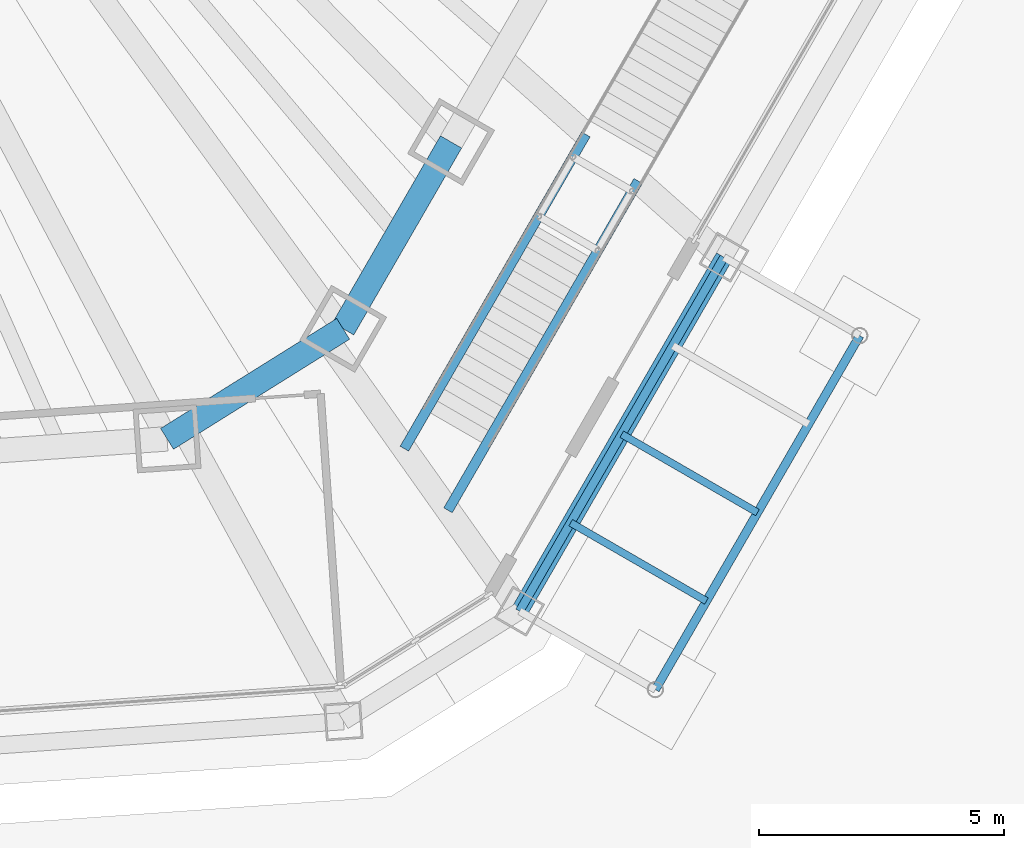
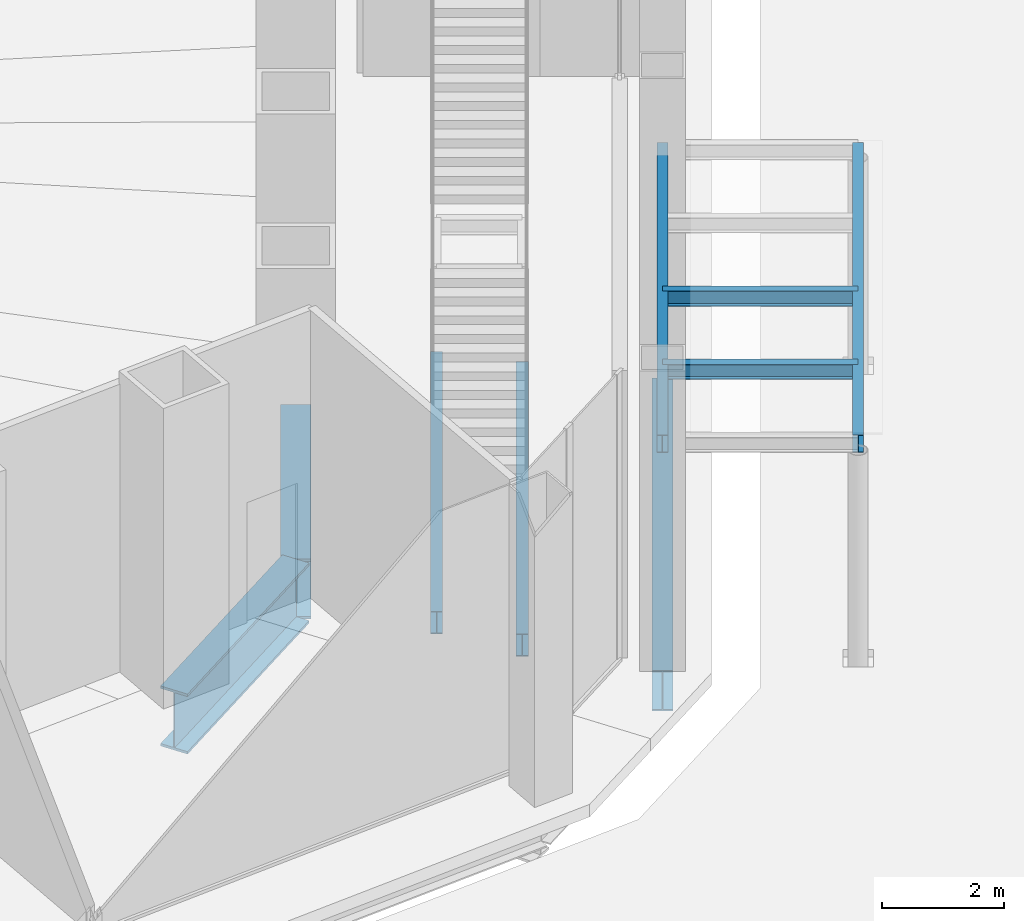
# One storey, part 14 of 45: 9 beams.
"""IFC4 building model written with IfcOpenShell, lengths in metres."""

from ifc_helpers import new_model, si_unit, direction, frame, origin, origin_2d, place, context, subcontext, project, spatial, i_section, extrude, material, material_profile, profile_set, type_object, element, save


model = new_model("IFC4")

# Units and contexts
model_context = context("Model", 3, precision=1e-05, world=origin(), true_north=direction((0.0, 1.0)))
body_context = subcontext(model_context, "Body", "Model", "MODEL_VIEW")
ifc_project = project(units=[si_unit("LENGTHUNIT", "METRE"), si_unit("AREAUNIT", "SQUARE_METRE"), si_unit("VOLUMEUNIT", "CUBIC_METRE"), si_unit("PLANEANGLEUNIT", "RADIAN"), si_unit("MASSUNIT", "GRAM", prefix="KILO")], contexts=[model_context])

# Site, building, storey
site_placement = place(None, origin())
site = spatial("IfcSite", under=ifc_project, at=site_placement, CompositionType="ELEMENT")
building_placement = place(site_placement, origin())
building = spatial("IfcBuilding", under=site, at=building_placement, Name="Qingtian Harvest Tower", CompositionType="ELEMENT")
storey_placement = place(building_placement, origin())
storey = spatial("IfcBuildingStorey", under=building, at=storey_placement, Name="L00", CompositionType="ELEMENT", Elevation=0.0)

# Beams
ifc_material_1 = material(Name="Steel SN490B", Category="steel")
ifc_material_profile_1 = material_profile(ifc_material_1, i_section(OverallWidth=0.14990234375, OverallDepth=0.300048828125, WebThickness=0.006591796875, FlangeThickness=0.009033203125, at=origin_2d()), Name="H300x150x6.5x9")
ifc_profile_set_1 = profile_set([ifc_material_profile_1], Name="Steel SN490B")
beam_type_1 = type_object("IfcBeamType", Name="Canopy beam CB1 H300x150x6.5x9", PredefinedType="BEAM", material=ifc_profile_set_1)
for number, where, z_axis, x_axis, name in (
    (1, (23.091064453125, -26.005126953125, 4.31005859375), (0.866042017984, -0.499971222258, 0.0), (0.499971222258, 0.866042017984, 0.0), "Canopy rafter CB1 CN3 3.2"),
    (2, (22.04833984375, -27.81103515625, 4.31005859375), (0.866008981251, -0.500028443584, 0.0), (0.500028443584, 0.866008981251, 0.0), "Canopy rafter CB1 CN3 3.3"),
):
    element("IfcBeam", number, at=place(storey_placement, frame(where, z_axis=z_axis, x_axis=x_axis)), inside=storey, type_object=beam_type_1, Name=name, PredefinedType="BEAM", context=body_context, shape_type="SweptSolid", body=[
        extrude(i_section(OverallWidth=0.14990234375, OverallDepth=0.300048828125, WebThickness=0.006591796875, FlangeThickness=0.009033203125, at=origin_2d()), origin(), (0.0, 0.0, 1.0), 3.199951171875),
    ])
ifc_material_2 = material(Name="Steel SN490B", Category="steel")
ifc_material_profile_2 = material_profile(ifc_material_2, i_section(OverallWidth=0.175048828125, OverallDepth=0.35009765625, WebThickness=0.007080078125, FlangeThickness=0.010986328125, at=origin_2d()), Name="H350x175x7x11")
ifc_profile_set_2 = profile_set([ifc_material_profile_2], Name="Steel SN490B")
beam_type_2 = type_object("IfcBeamType", Name="Canopy edge beam CB2 H350x175x7x11", PredefinedType="BEAM", material=ifc_profile_set_2)
beam_1_placement = place(storey_placement, frame((25.176513671875, -22.39306640625, 4.284912109375), z_axis=(-0.500004511595, -0.866022798998, 0.0), x_axis=(0.866022798998, -0.500004511595, 0.0)))
element("IfcBeam", 3, at=beam_1_placement, inside=storey, type_object=beam_type_2, Name="Canopy back beam CB1 CN3 3", PredefinedType="BEAM", context=body_context, shape_type="SweptSolid", body=[
    extrude(i_section(OverallWidth=0.175048828125, OverallDepth=0.35009765625, WebThickness=0.007080078125, FlangeThickness=0.010986328125, at=origin_2d()), origin(), (0.0, 0.0, 1.0), 8.341796875),
])
beam_2_placement = place(storey_placement, frame((27.94775390625, -23.992919921875, 4.284912109375), z_axis=(-0.499991838624, -0.866030115706, 0.0), x_axis=(0.866030115706, -0.499991838624, 0.0)))
element("IfcBeam", 4, at=beam_2_placement, inside=storey, type_object=beam_type_2, Name="Canopy front beam CB1 CN3 3", PredefinedType="BEAM", context=body_context, shape_type="SweptSolid", body=[
    extrude(i_section(OverallWidth=0.175048828125, OverallDepth=0.35009765625, WebThickness=0.007080078125, FlangeThickness=0.010986328125, at=origin_2d()), origin(), (0.0, 0.0, 1.0), 8.342041015625),
])
ifc_material_3 = material(Name="Steel SN490B", Category="steel")
ifc_material_profile_3 = material_profile(ifc_material_3, i_section(OverallWidth=0.35009765625, OverallDepth=0.800048828125, WebThickness=0.01611328125, FlangeThickness=0.028076171875, at=origin_2d()), Name="H800x350x16x28")
ifc_profile_set_3 = profile_set([ifc_material_profile_3], Name="Steel SN490B")
beam_type_3 = type_object("IfcBeamType", Name="Podium beam PB1 H800x350x16x28", PredefinedType="BEAM", material=ifc_profile_set_3)
beam_3_placement = place(storey_placement, frame((25.176513671875, -22.39306640625, -0.64990234375), z_axis=(-0.500004511595, -0.866022798998, 0.0), x_axis=(0.866022798998, -0.500004511595, 0.0)))
element("IfcBeam", 5, at=beam_3_placement, inside=storey, type_object=beam_type_3, Name="Podium edge beam PB1 SE3", PredefinedType="BEAM", context=body_context, shape_type="SweptSolid", body=[
    extrude(i_section(OverallWidth=0.35009765625, OverallDepth=0.800048828125, WebThickness=0.01611328125, FlangeThickness=0.028076171875, at=origin_2d()), origin(), (0.0, 0.0, 1.0), 8.341796875),
])
ifc_material_4 = material(Name="Steel SM570MC", Category="steel")
ifc_material_profile_4 = material_profile(ifc_material_4, i_section(OverallWidth=0.5, OverallDepth=1.199951171875, WebThickness=0.02490234375, FlangeThickness=0.050048828125, at=origin_2d()), Name="H1200x500x25x50")
ifc_profile_set_4 = profile_set([ifc_material_profile_4], Name="Steel SM570MC")
beam_type_4 = type_object("IfcBeamType", Name="Spandrel beam SB1 H1200x500x25x50", PredefinedType="SPANDREL", material=ifc_profile_set_4)
beam_4_placement = place(storey_placement, frame((19.60693359375, -20.039794921875, -0.85009765625), z_axis=(-0.50001992892, -0.866013897511, 0.0), x_axis=(0.866013897511, -0.50001992892, 0.0)))
element("IfcBeam", 6, at=beam_4_placement, inside=storey, type_object=beam_type_4, Name="Spandrel SB1 SE5", PredefinedType="SPANDREL", context=body_context, shape_type="SweptSolid", body=[
    extrude(i_section(OverallWidth=0.5, OverallDepth=1.199951171875, WebThickness=0.02490234375, FlangeThickness=0.050048828125, at=origin_2d()), origin(), (0.0, 0.0, 1.0), 4.404541015625),
])
beam_5_placement = place(storey_placement, frame((17.404541015625, -23.854248046875, -0.85009765625), z_axis=(-0.848040374245, -0.529931621675, 0.0), x_axis=(0.529931621675, -0.848040374245, 0.0)))
element("IfcBeam", 7, at=beam_5_placement, inside=storey, type_object=beam_type_4, Name="Spandrel SB1 SEC", PredefinedType="SPANDREL", context=body_context, shape_type="SweptSolid", body=[
    extrude(i_section(OverallWidth=0.5, OverallDepth=1.199951171875, WebThickness=0.02490234375, FlangeThickness=0.050048828125, at=origin_2d()), origin(), (0.0, 0.0, 1.0), 4.238037109375),
])
ifc_material_5 = material(Name="Steel SN490B", Category="steel")
ifc_material_profile_5 = material_profile(ifc_material_5, i_section(OverallWidth=0.199951171875, OverallDepth=0.449951171875, WebThickness=0.009033203125, FlangeThickness=0.013916015625, at=origin_2d()), Name="H450x200x9x14")
ifc_profile_set_5 = profile_set([ifc_material_profile_5], Name="Steel SN490B")
beam_type_5 = type_object("IfcBeamType", Name="Stair support beam SSB1 H450x200x9x14", PredefinedType="BEAM", material=ifc_profile_set_5)
beam_6_placement = place(storey_placement, frame((19.545166015625, -27.55810546875, -0.47509765625), z_axis=(0.499995636632, 0.866027922961, 0.0), x_axis=(-0.866027922961, 0.499995636632, 0.0)))
element("IfcBeam", 8, at=beam_6_placement, inside=storey, type_object=beam_type_5, Name="Stair support beam SSB1 FS1 L", PredefinedType="BEAM", context=body_context, shape_type="SweptSolid", body=[
    extrude(i_section(OverallWidth=0.199951171875, OverallDepth=0.449951171875, WebThickness=0.009033203125, FlangeThickness=0.013916015625, at=origin_2d()), origin(), (0.0, 0.0, 1.0), 7.76171875),
])
beam_7_placement = place(storey_placement, frame((18.654052734375, -26.301513671875, -0.47509765625), z_axis=(0.499984913031, 0.866034114075, 0.0), x_axis=(-0.866034114075, 0.499984913031, 0.0)))
element("IfcBeam", 9, at=beam_7_placement, inside=storey, type_object=beam_type_5, Name="Stair support beam SSB1 FS1 R", PredefinedType="BEAM", context=body_context, shape_type="SweptSolid", body=[
    extrude(i_section(OverallWidth=0.199951171875, OverallDepth=0.449951171875, WebThickness=0.009033203125, FlangeThickness=0.013916015625, at=origin_2d()), origin(), (0.0, 0.0, 1.0), 7.407958984375),
])

save(model, "model.ifc")
